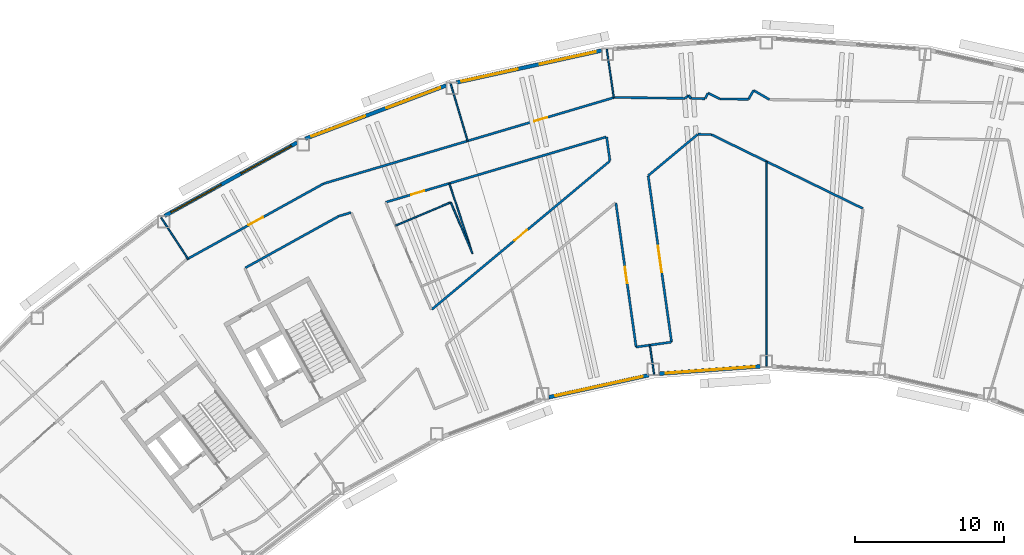
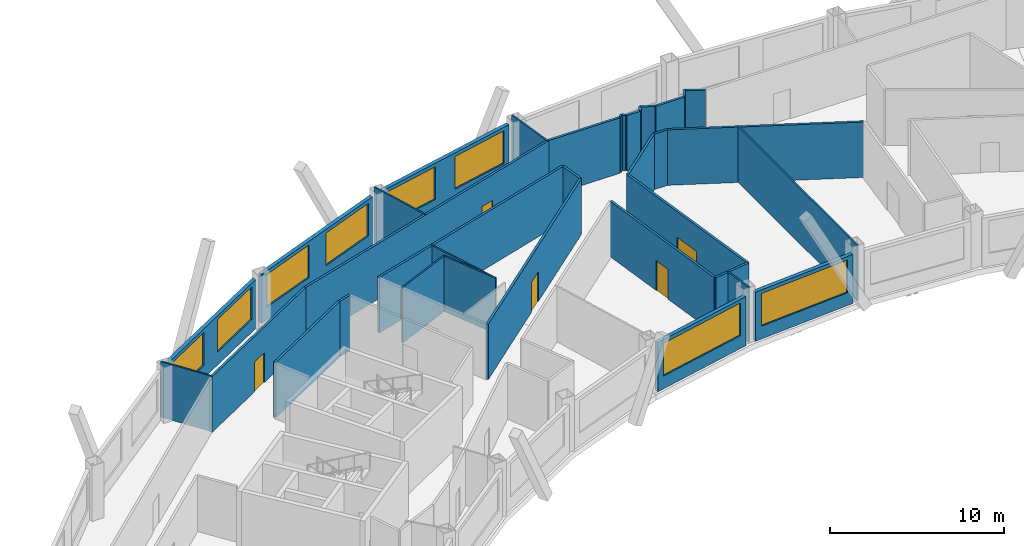
# One storey, part 7 of 13: 35 walls, 8 windows, 6 doors, 14 openings.
"""IFC4 building model written with IfcOpenShell, lengths in metres."""

import ifcopenshell
import ifcopenshell.guid

model = None  # the IFC model being written
_history = None  # IfcOwnerHistory: only IFC2X3 demands one
_inside = {}  # id of a spatial element -> (the spatial element, [elements in it])
_under = {}  # id of a project, library or spatial element -> (it, [spatial elements below it])
_declared = {}  # id of a project -> (the project, [libraries it declares])
_typed = {}  # id of a type object -> (the type object, [elements of that type])
_made_of = {}  # id of a material, layer set ... -> (it, [elements and type objects made of it])


def new_model(schema):
    """Start an empty IFC model of exactly this schema.

    Asked for "IFC4X3", IfcOpenShell would pick the latest addendum, in which some entities
    have other attributes; the version numbers below select the first issue.
    IFC2X3 requires an IfcOwnerHistory on every rooted entity: one is made here for all.
    """
    global model, _history
    if schema == "IFC4X3":
        model = ifcopenshell.file(schema_version=(4, 3, 0, 0))
    else:
        model = ifcopenshell.file(schema=schema)
    _inside.clear()
    _under.clear()
    _declared.clear()
    _typed.clear()
    _made_of.clear()
    _history = None
    if model.schema == "IFC2X3":
        org = make("IfcOrganization", Name="unknown")
        user = make(
            "IfcPersonAndOrganization",
            ThePerson=make("IfcPerson", FamilyName="unknown"),
            TheOrganization=org,
        )
        app = make(
            "IfcApplication",
            ApplicationDeveloper=org,
            Version="unknown",
            ApplicationFullName="unknown",
            ApplicationIdentifier="unknown",
        )
        _history = make(
            "IfcOwnerHistory",
            OwningUser=user,
            OwningApplication=app,
            ChangeAction="ADDED",
            CreationDate=0,
        )
    return model


def make(cls, **values):
    """One entity of the class cls with the attributes given. An attribute that is None is left unset."""
    return model.create_entity(
        cls, **{name: value for name, value in values.items() if value is not None}
    )


def rooted(cls, **values):
    """An entity with a GlobalId (a new one), such as an element, a storey or a relation."""
    return make(cls, GlobalId=ifcopenshell.guid.new(), OwnerHistory=_history, **values)


def si_unit(unit_type, name, prefix=None):
    """IfcSIUnit, for example si_unit("LENGTHUNIT", "METRE", prefix="MILLI")."""
    return make("IfcSIUnit", UnitType=unit_type, Prefix=prefix, Name=name)


def assignment(units):
    """IfcUnitAssignment: the units of a project."""
    return None if units is None else make("IfcUnitAssignment", Units=units)


def point(xyz):
    """IfcCartesianPoint."""
    return None if xyz is None else make("IfcCartesianPoint", Coordinates=xyz)


def direction(xyz):
    """IfcDirection."""
    return None if xyz is None else make("IfcDirection", DirectionRatios=xyz)


def frame(location, z_axis=None, x_axis=None):
    """IfcAxis2Placement3D, a coordinate frame: its origin and axes. An axis left out is left unset."""
    return make(
        "IfcAxis2Placement3D",
        Location=point(location),
        Axis=direction(z_axis),
        RefDirection=direction(x_axis),
    )


def frame_2d(location, x_axis=None):
    """IfcAxis2Placement2D, a coordinate frame in the plane: its origin and x axis."""
    return make(
        "IfcAxis2Placement2D", Location=point(location), RefDirection=direction(x_axis)
    )


def origin():
    """The frame at (0, 0, 0) with its axes left unset."""
    return frame((0.0, 0.0, 0.0))


def place(relative_to, where):
    """IfcLocalPlacement: puts the frame where relative to a parent placement (None: the world)."""
    return make(
        "IfcLocalPlacement", PlacementRelTo=relative_to, RelativePlacement=where
    )


def context(
    kind, dimensions, precision=None, world=None, true_north=None, identifier=None
):
    """IfcGeometricRepresentationContext, for example the 3D "Model" context."""
    return make(
        "IfcGeometricRepresentationContext",
        ContextIdentifier=identifier,
        ContextType=kind,
        CoordinateSpaceDimension=dimensions,
        Precision=precision,
        WorldCoordinateSystem=world,
        TrueNorth=true_north,
    )


def subcontext(parent, identifier, kind, view, scale=None):
    """IfcGeometricRepresentationSubContext, for example "Body" below "Model"."""
    return make(
        "IfcGeometricRepresentationSubContext",
        ContextIdentifier=identifier,
        ContextType=kind,
        ParentContext=parent,
        TargetScale=scale,
        TargetView=view,
    )


def project(units=None, contexts=None):
    """IfcProject with its units and contexts."""
    return rooted(
        "IfcProject",
        Name="project",
        RepresentationContexts=contexts,
        UnitsInContext=assignment(units),
    )


def spatial(cls, under=None, at=None, **own):
    """A site, building, storey or space (cls), placed at a placement, below another one or the project."""
    s = rooted(cls, ObjectPlacement=at, **own)
    if under is not None:
        _under.setdefault(under.id(), (under, []))[1].append(s)
    return s


def profile(cls, at=None, kind="AREA", **sizes):
    """A parametric profile (cls). Its sizes go by their IFC names, for example OverallWidth=200.0."""
    return make(cls, ProfileType=kind, Position=at, **sizes)


def rectangle(**sizes):
    """IfcRectangleProfileDef."""
    return profile("IfcRectangleProfileDef", **sizes)


def extrude(swept, where, along, depth):
    """IfcExtrudedAreaSolid: the profile swept, set in the frame where, extruded along a direction by depth."""
    return make(
        "IfcExtrudedAreaSolid",
        SweptArea=swept,
        Position=where,
        ExtrudedDirection=direction(along),
        Depth=depth,
    )


def shape(context_of_items, identifier, shape_type, items):
    """IfcShapeRepresentation: the items that make up one representation, for example the "Body"."""
    return make(
        "IfcShapeRepresentation",
        ContextOfItems=context_of_items,
        RepresentationIdentifier=identifier,
        RepresentationType=shape_type,
        Items=items,
    )


def material(Name=None, Category=None):
    """IfcMaterial."""
    return make("IfcMaterial", Name=Name, Category=Category)


def layer(
    of_material, thickness, ventilated=None, Name=None, Category=None, Priority=None
):
    """IfcMaterialLayer: one layer of a wall or slab, of a material (None: an air gap)."""
    return make(
        "IfcMaterialLayer",
        Material=of_material,
        LayerThickness=thickness,
        IsVentilated=ventilated,
        Name=Name,
        Category=Category,
        Priority=Priority,
    )


def layer_set(layers, Name=None):
    """IfcMaterialLayerSet."""
    return make("IfcMaterialLayerSet", MaterialLayers=layers, LayerSetName=Name)


def made_of(thing, what):
    """Note that an element or type object is made of a material, layer set ...; save() writes the relation."""
    if what is not None:
        _made_of.setdefault(what.id(), (what, []))[1].append(thing)
    return thing


def type_object(cls, material=None, **own):
    """A type object (cls), such as IfcWallType, which elements share."""
    return made_of(rooted(cls, **own), material)


def element(
    cls,
    number,
    at=None,
    inside=None,
    cuts=None,
    type_object=None,
    material=None,
    context=None,
    identifier="Body",
    shape_type=None,
    held_by="IfcProductDefinitionShape",
    body=None,
    shapes=None,
    **own,
):
    """One element of the class cls, such as IfcWall. Its Tag is "e" and its number.

    at: its placement. inside: the storey or other place that contains it. cuts: it is an
    opening in that element (IfcRelVoidsElement). A single representation is given by context,
    identifier, shape_type and body (its items); several are given by shapes. held_by: the class
    of the entity that holds the representations. save() writes the other relations.
    """
    e = rooted(cls, Tag="e%d" % number, ObjectPlacement=at, **own)
    if body is not None:
        shapes = [shape(context, identifier, shape_type, body)]
    if shapes is not None:
        e.Representation = make(held_by, Representations=shapes)
    if inside is not None:
        _inside.setdefault(inside.id(), (inside, []))[1].append(e)
    if cuts is not None:
        rooted(
            "IfcRelVoidsElement", RelatingBuildingElement=cuts, RelatedOpeningElement=e
        )
    if type_object is not None:
        _typed.setdefault(type_object.id(), (type_object, []))[1].append(e)
    return made_of(e, material)


def fill(opening, filler):
    """IfcRelFillsElement: the door or window that sits in an opening."""
    return rooted(
        "IfcRelFillsElement",
        RelatingOpeningElement=opening,
        RelatedBuildingElement=filler,
    )


def aggregate(whole, parts):
    """IfcRelAggregates: a whole, such as a stair, and the parts it consists of."""
    return rooted("IfcRelAggregates", RelatingObject=whole, RelatedObjects=parts)


def save(model, path):
    """Write the relations noted so far, then the file.

    IfcRelAggregates (storeys below a building ...), IfcRelContainedInSpatialStructure (elements
    in a storey), IfcRelDefinesByType, IfcRelAssociatesMaterial and IfcRelDeclares: one each for
    every whole, place, type object, material and project.
    """
    for whole, parts in _under.values():
        aggregate(whole, parts)
    for where, things in _inside.values():
        rooted(
            "IfcRelContainedInSpatialStructure",
            RelatedElements=things,
            RelatingStructure=where,
        )
    for kind, things in _typed.values():
        rooted("IfcRelDefinesByType", RelatedObjects=things, RelatingType=kind)
    for what, things in _made_of.values():
        rooted("IfcRelAssociatesMaterial", RelatedObjects=things, RelatingMaterial=what)
    for by, libraries in _declared.values():
        rooted("IfcRelDeclares", RelatingContext=by, RelatedDefinitions=libraries)
    model.write(path)


model = new_model("IFC4")

# Units and contexts
model_context = context("Model", 3, precision=1e-05, world=origin(), true_north=direction((0.0, 1.0)))
body_context = subcontext(model_context, "Body", "Model", "MODEL_VIEW")
ifc_project = project(units=[si_unit("LENGTHUNIT", "METRE"), si_unit("AREAUNIT", "SQUARE_METRE"), si_unit("VOLUMEUNIT", "CUBIC_METRE"), si_unit("PLANEANGLEUNIT", "RADIAN"), si_unit("MASSUNIT", "GRAM", prefix="KILO")], contexts=[model_context])

# Site, building, storey
site_placement = place(None, origin())
site = spatial("IfcSite", under=ifc_project, at=site_placement, CompositionType="ELEMENT")
building_placement = place(site_placement, origin())
building = spatial("IfcBuilding", under=site, at=building_placement, Name="Tuul Gate Civic Tower", CompositionType="ELEMENT")
storey_placement = place(building_placement, frame((0.0, 0.0, 319.699951171875)))
storey = spatial("IfcBuildingStorey", under=building, at=storey_placement, Name="Level 72", CompositionType="ELEMENT", Elevation=319.699951171875)

# Walls
ifc_material_1 = material(Name="Gypsum board partition")
ifc_layer_1 = layer(ifc_material_1, 0.14990234375)
ifc_layer_set_1 = layer_set([ifc_layer_1], Name="Gypsum board partition")
wall_type_1 = type_object("IfcWallType", Name="Corridor wall P150", PredefinedType="PARTITIONING", material=ifc_layer_set_1)
wall_1_placement = place(storey_placement, frame((-7.98291015625, 10.157958984375, 0.0), z_axis=(0.0, 0.0, 1.0), x_axis=(0.999900180354, -0.014129024288, 0.0)))
element("IfcWall", 1, at=wall_1_placement, inside=storey, type_object=wall_type_1, Name="p014", PredefinedType="PARTITIONING", context=body_context, shape_type="SweptSolid", body=[
    extrude(rectangle(XDim=4.71728515625, YDim=0.14990234375, at=frame_2d((2.358642578125, 0.0))), origin(), (0.0, 0.0, 1.0), 3.900146484375),
])
wall_2_placement = place(storey_placement, frame((-2.83544921875, 10.085205078125, 0.0), z_axis=(0.0, 0.0, 1.0), x_axis=(0.999903922881, -0.01386163796, 0.0)))
element("IfcWall", 2, at=wall_2_placement, inside=storey, type_object=wall_type_1, Name="p015", PredefinedType="PARTITIONING", context=body_context, shape_type="SweptSolid", body=[
    extrude(rectangle(XDim=0.915771484375, YDim=0.14990234375, at=frame_2d((0.4580078125, 0.0))), origin(), (0.0, 0.0, 1.0), 3.900146484375),
])
wall_3_placement = place(storey_placement, frame((-0.91748046875, 10.05810546875, 0.0), z_axis=(0.0, 0.0, 1.0), x_axis=(0.9999006501, -0.014095741575, 0.0)))
element("IfcWall", 3, at=wall_3_placement, inside=storey, type_object=wall_type_1, Name="p016", PredefinedType="PARTITIONING", context=body_context, shape_type="SweptSolid", body=[
    extrude(rectangle(XDim=1.9052734375, YDim=0.14990234375, at=frame_2d((0.95263671875, 0.0))), origin(), (0.0, 0.0, 1.0), 3.900146484375),
])
wall_4_placement = place(storey_placement, frame((1.343505859375, 10.626708984375, 0.0), z_axis=(0.0, 0.0, 1.0), x_axis=(0.866684977595, -0.498855840511, 0.0)))
element("IfcWall", 4, at=wall_4_placement, inside=storey, type_object=wall_type_1, Name="p021", PredefinedType="PARTITIONING", context=body_context, shape_type="SweptSolid", body=[
    extrude(rectangle(XDim=1.22802734375, YDim=0.14990234375, at=frame_2d((0.614013671875, 0.0))), origin(), (0.0, 0.0, 1.0), 3.900146484375),
])
wall_5_placement = place(storey_placement, frame((1.005859375, 10.041748046875, 0.0), z_axis=(0.0, 0.0, 1.0), x_axis=(0.498709090945, 0.866769428746, 0.0)))
element("IfcWall", 5, at=wall_5_placement, inside=storey, type_object=wall_type_1, Name="p024", PredefinedType="PARTITIONING", context=body_context, shape_type="SweptSolid", body=[
    extrude(rectangle(XDim=0.674560546875, YDim=0.14990234375, at=frame_2d((0.33740234375, 0.0))), origin(), (0.0, 0.0, 1.0), 3.900146484375),
])
wall_6_placement = place(storey_placement, frame((-1.721923828125, 10.448486328125, 0.0), z_axis=(0.0, 0.0, 1.0), x_axis=(0.898638392768, -0.438690140125, 0.0)))
element("IfcWall", 6, at=wall_6_placement, inside=storey, type_object=wall_type_1, Name="p025", PredefinedType="PARTITIONING", context=body_context, shape_type="SweptSolid", body=[
    extrude(rectangle(XDim=0.88427734375, YDim=0.14990234375, at=frame_2d((0.442138671875, 0.0))), origin(), (0.0, 0.0, 1.0), 3.900146484375),
])
wall_7_placement = place(storey_placement, frame((-1.900634765625, 10.083984375, 0.0), z_axis=(0.0, 0.0, 1.0), x_axis=(0.438756078999, 0.898606200258, 0.0)))
element("IfcWall", 7, at=wall_7_placement, inside=storey, type_object=wall_type_1, Name="p026", PredefinedType="PARTITIONING", context=body_context, shape_type="SweptSolid", body=[
    extrude(rectangle(XDim=0.405029296875, YDim=0.14990234375, at=frame_2d((0.20263671875, 0.0))), origin(), (0.0, 0.0, 1.0), 3.900146484375),
])
wall_8_placement = place(storey_placement, frame((-3.016845703125, 10.29150390625, 0.0), z_axis=(0.0, 0.0, 1.0), x_axis=(0.640463102526, -0.767988941524, 0.0)))
element("IfcWall", 8, at=wall_8_placement, inside=storey, type_object=wall_type_1, Name="p027", PredefinedType="PARTITIONING", context=body_context, shape_type="SweptSolid", body=[
    extrude(rectangle(XDim=0.258544921875, YDim=0.14990234375, at=frame_2d((0.12939453125, 0.0))), origin(), (0.0, 0.0, 1.0), 3.900146484375),
])

# Wall, opening, door
wall_9_placement = place(storey_placement, frame((-20.246826171875, -4.06982421875, 0.0), z_axis=(0.0, 0.0, 1.0), x_axis=(0.768138936069, 0.640283198979, 0.0)))
wall_9 = element("IfcWall", 9, at=wall_9_placement, inside=storey, type_object=wall_type_1, Name="p029", PredefinedType="PARTITIONING", context=body_context, shape_type="SweptSolid", body=[
    extrude(rectangle(XDim=15.5546875, YDim=0.14990234375, at=frame_2d((7.77734375, 0.0))), origin(), (0.0, 0.0, 1.0), 3.900146484375),
])
opening_1_placement = place(wall_9_placement, frame((7.227294921875, 0.0, 0.0)))
opening_1 = element("IfcOpeningElement", 10, at=opening_1_placement, cuts=wall_9, Name="Opening AA-D23", PredefinedType="OPENING", context=body_context, shape_type="SweptSolid", body=[
    extrude(rectangle(XDim=1.10009765625, YDim=2.10009765625, at=frame_2d((0.550048828125, 1.050048828125))), frame((0.0, 0.0849609375, 0.0), z_axis=(0.0, -1.0, 0.0), x_axis=(1.0, 0.0, 0.0)), (0.0, 0.0, 1.0), 0.169921875),
])
ifc_material_2 = material(Name="Timber door leaf", Category="wood")
door_type_1 = type_object("IfcDoorType", Name="Door D11", OperationType="NOTDEFINED", PredefinedType="DOOR", material=ifc_material_2)
door_1_placement = place(opening_1_placement, origin())
door_1 = element("IfcDoor", 11, at=door_1_placement, inside=storey, type_object=door_type_1, Name="Door AA-D23", OperationType="SINGLE_SWING_RIGHT", OverallHeight=2.10009765625, OverallWidth=1.10009765625, PredefinedType="DOOR", context=body_context, shape_type="SweptSolid", body=[
    extrude(rectangle(XDim=1.10009765625, YDim=2.10009765625, at=frame_2d((0.550048828125, 1.050048828125))), frame((0.0, 0.02490234375, 0.0), z_axis=(0.0, -1.0, 0.0), x_axis=(1.0, 0.0, 0.0)), (0.0, 0.0, 1.0), 0.050048828125),
])
fill(opening_1, door_1)

# Wall
wall_10_placement = place(storey_placement, frame((-3.251953125, 10.096435546875, 0.0), z_axis=(0.0, 0.0, 1.0), x_axis=(0.768286942229, 0.640105596289, 0.0)))
element("IfcWall", 12, at=wall_10_placement, inside=storey, type_object=wall_type_1, Name="p030", PredefinedType="PARTITIONING", context=body_context, shape_type="SweptSolid", body=[
    extrude(rectangle(XDim=0.3046875, YDim=0.14990234375, at=frame_2d((0.15234375, 0.0))), origin(), (0.0, 0.0, 1.0), 3.900146484375),
])

# Wall, opening, door
wall_11_placement = place(storey_placement, frame((-27.4921875, 4.376708984375, 0.0), z_axis=(0.0, 0.0, 1.0), x_axis=(0.958785885626, 0.284129592833, 0.0)))
wall_11 = element("IfcWall", 13, at=wall_11_placement, inside=storey, type_object=wall_type_1, Name="p031", PredefinedType="PARTITIONING", context=body_context, shape_type="SweptSolid", body=[
    extrude(rectangle(XDim=20.346435546875, YDim=0.14990234375, at=frame_2d((10.17333984375, 0.0))), origin(), (0.0, 0.0, 1.0), 3.900146484375),
])
opening_2_placement = place(wall_11_placement, frame((14.73291015625, 0.0, 0.0)))
opening_2 = element("IfcOpeningElement", 14, at=opening_2_placement, cuts=wall_11, Name="Opening AA-D03", PredefinedType="OPENING", context=body_context, shape_type="SweptSolid", body=[
    extrude(rectangle(XDim=0.89990234375, YDim=2.10009765625, at=frame_2d((0.449951171875, 1.050048828125))), frame((0.0, 0.0849609375, 0.0), z_axis=(0.0, -1.0, 0.0), x_axis=(1.0, 0.0, 0.0)), (0.0, 0.0, 1.0), 0.169921875),
])
ifc_material_3 = material(Name="Timber door leaf", Category="wood")
door_type_2 = type_object("IfcDoorType", Name="Door D09", OperationType="NOTDEFINED", PredefinedType="DOOR", material=ifc_material_3)
door_2_placement = place(opening_2_placement, origin())
door_2 = element("IfcDoor", 15, at=door_2_placement, inside=storey, type_object=door_type_2, Name="Door AA-D03", OperationType="SINGLE_SWING_RIGHT", OverallHeight=2.10009765625, OverallWidth=0.89990234375, PredefinedType="DOOR", context=body_context, shape_type="SweptSolid", body=[
    extrude(rectangle(XDim=0.89990234375, YDim=2.10009765625, at=frame_2d((0.449951171875, 1.050048828125))), frame((0.0, 0.02490234375, 0.0), z_axis=(0.0, -1.0, 0.0), x_axis=(1.0, 0.0, 0.0)), (0.0, 0.0, 1.0), 0.050048828125),
])
fill(opening_2, door_2)

wall_12_placement = place(storey_placement, frame((-36.686767578125, -0.711181640625, 0.0), z_axis=(0.0, 0.0, 1.0), x_axis=(0.874969326866, 0.484178352514, 0.0)))
wall_12 = element("IfcWall", 16, at=wall_12_placement, inside=storey, type_object=wall_type_1, Name="p036", PredefinedType="PARTITIONING", context=body_context, shape_type="SweptSolid", body=[
    extrude(rectangle(XDim=10.5068359375, YDim=0.14990234375, at=frame_2d((5.25341796875, 0.0))), origin(), (0.0, 0.0, 1.0), 3.900146484375),
])
opening_3_placement = place(wall_12_placement, frame((4.753662109375, 0.0, 0.0)))
opening_3 = element("IfcOpeningElement", 17, at=opening_3_placement, cuts=wall_12, Name="Opening AA-D04", PredefinedType="OPENING", context=body_context, shape_type="SweptSolid", body=[
    extrude(rectangle(XDim=1.10009765625, YDim=2.10009765625, at=frame_2d((0.550048828125, 1.050048828125))), frame((0.0, 0.0849609375, 0.0), z_axis=(0.0, -1.0, 0.0), x_axis=(1.0, 0.0, 0.0)), (0.0, 0.0, 1.0), 0.169921875),
])
door_3_placement = place(opening_3_placement, origin())
door_3 = element("IfcDoor", 18, at=door_3_placement, inside=storey, type_object=door_type_1, Name="Door AA-D04", OperationType="SINGLE_SWING_RIGHT", OverallHeight=2.10009765625, OverallWidth=1.10009765625, PredefinedType="DOOR", context=body_context, shape_type="SweptSolid", body=[
    extrude(rectangle(XDim=1.10009765625, YDim=2.10009765625, at=frame_2d((0.550048828125, 1.050048828125))), frame((0.0, 0.02490234375, 0.0), z_axis=(0.0, -1.0, 0.0), x_axis=(1.0, 0.0, 0.0)), (0.0, 0.0, 1.0), 0.050048828125),
])
fill(opening_3, door_3)

# Walls
wall_13_placement = place(storey_placement, frame((-1.48779296875, 7.66357421875, 0.0), z_axis=(0.0, 0.0, 1.0), x_axis=(0.898711179606, -0.438541007947, 0.0)))
element("IfcWall", 19, at=wall_13_placement, inside=storey, type_object=wall_type_1, Name="p069", PredefinedType="PARTITIONING", context=body_context, shape_type="SweptSolid", body=[
    extrude(rectangle(XDim=11.31005859375, YDim=0.14990234375, at=frame_2d((5.655029296875, 0.0))), origin(), (0.0, 0.0, 1.0), 3.900146484375),
])
wall_14_placement = place(storey_placement, frame((-6.53564453125, -6.5869140625, 0.0), z_axis=(0.0, 0.0, 1.0), x_axis=(0.990258552529, 0.139240795545, 0.0)))
element("IfcWall", 20, at=wall_14_placement, inside=storey, type_object=wall_type_1, Name="p076", PredefinedType="PARTITIONING", context=body_context, shape_type="SweptSolid", body=[
    extrude(rectangle(XDim=2.398681640625, YDim=0.14990234375, at=frame_2d((1.19921875, 0.0))), origin(), (0.0, 0.0, 1.0), 3.900146484375),
])

# Wall, opening, door
wall_15_placement = place(storey_placement, frame((-5.726806640625, 4.896240234375, 0.0), z_axis=(0.0, 0.0, 1.0), x_axis=(0.139180402056, -0.990267042612, 0.0)))
wall_15 = element("IfcWall", 21, at=wall_15_placement, inside=storey, type_object=wall_type_1, Name="p077", PredefinedType="PARTITIONING", context=body_context, shape_type="SweptSolid", body=[
    extrude(rectangle(XDim=11.258056640625, YDim=0.14990234375, at=frame_2d((5.62890625, 0.0))), origin(), (0.0, 0.0, 1.0), 3.900146484375),
])
opening_4_placement = place(wall_15_placement, frame((4.72900390625, 0.0, 0.0)))
opening_4 = element("IfcOpeningElement", 22, at=opening_4_placement, cuts=wall_15, Name="Opening AA-D15", PredefinedType="OPENING", context=body_context, shape_type="SweptSolid", body=[
    extrude(rectangle(XDim=1.800048828125, YDim=2.10009765625, at=frame_2d((0.89990234375, 1.050048828125))), frame((0.0, 0.0849609375, 0.0), z_axis=(0.0, -1.0, 0.0), x_axis=(1.0, 0.0, 0.0)), (0.0, 0.0, 1.0), 0.169921875),
])
ifc_material_4 = material(Name="Timber door leaf, double", Category="wood")
door_type_3 = type_object("IfcDoorType", Name="Door D18", OperationType="DOUBLE_DOOR_SINGLE_SWING", PredefinedType="DOOR", material=ifc_material_4)
door_4_placement = place(opening_4_placement, origin())
door_4 = element("IfcDoor", 23, at=door_4_placement, inside=storey, type_object=door_type_3, Name="Door AA-D15", OperationType="DOUBLE_DOOR_SINGLE_SWING", OverallHeight=2.10009765625, OverallWidth=1.800048828125, PredefinedType="DOOR", context=body_context, shape_type="SweptSolid", body=[
    extrude(rectangle(XDim=1.800048828125, YDim=2.10009765625, at=frame_2d((0.89990234375, 1.050048828125))), frame((0.0, 0.02490234375, 0.0), z_axis=(0.0, -1.0, 0.0), x_axis=(1.0, 0.0, 0.0)), (0.0, 0.0, 1.0), 0.050048828125),
])
fill(opening_4, door_4)

# Walls
wall_16_placement = place(storey_placement, frame((-5.719482421875, 4.915283203125, 0.0), z_axis=(0.0, 0.0, 1.0), x_axis=(0.768165605257, 0.640251202967, 0.0)))
element("IfcWall", 24, at=wall_16_placement, inside=storey, type_object=wall_type_1, Name="p081", PredefinedType="PARTITIONING", context=body_context, shape_type="SweptSolid", body=[
    extrude(rectangle(XDim=4.3134765625, YDim=0.14990234375, at=frame_2d((2.15673828125, 0.0))), origin(), (0.0, 0.0, 1.0), 3.900146484375),
])
wall_17_placement = place(storey_placement, frame((-2.39208984375, 7.681884765625, 0.0), z_axis=(0.0, 0.0, 1.0), x_axis=(0.999842766051, -0.017732545646, 0.0)))
element("IfcWall", 25, at=wall_17_placement, inside=storey, type_object=wall_type_1, Name="p082", PredefinedType="PARTITIONING", context=body_context, shape_type="SweptSolid", body=[
    extrude(rectangle(XDim=0.89501953125, YDim=0.14990234375, at=frame_2d((0.447509765625, 0.0))), origin(), (0.0, 0.0, 1.0), 3.900146484375),
])
wall_18_placement = place(storey_placement, frame((-8.51513671875, 7.4921875, 0.0), z_axis=(0.0, 0.0, 1.0), x_axis=(0.139156639217, -0.990270382149, 0.0)))
element("IfcWall", 26, at=wall_18_placement, inside=storey, type_object=wall_type_1, Name="p084", PredefinedType="PARTITIONING", context=body_context, shape_type="SweptSolid", body=[
    extrude(rectangle(XDim=1.60009765625, YDim=0.14990234375, at=frame_2d((0.800048828125, 0.0))), origin(), (0.0, 0.0, 1.0), 3.900146484375),
])

# Wall, opening, door
wall_19_placement = place(storey_placement, frame((-7.892578125, 3.063232421875, 0.0), z_axis=(0.0, 0.0, 1.0), x_axis=(0.139155018901, -0.990270609841, 0.0)))
wall_19 = element("IfcWall", 27, at=wall_19_placement, inside=storey, type_object=wall_type_1, Name="p085", PredefinedType="PARTITIONING", context=body_context, shape_type="SweptSolid", body=[
    extrude(rectangle(XDim=9.744140625, YDim=0.14990234375, at=frame_2d((4.8720703125, 0.0))), origin(), (0.0, 0.0, 1.0), 3.900146484375),
])
opening_5_placement = place(wall_19_placement, frame((4.322265625, 0.0, 0.0)))
opening_5 = element("IfcOpeningElement", 28, at=opening_5_placement, cuts=wall_19, Name="Opening AA-D16", PredefinedType="OPENING", context=body_context, shape_type="SweptSolid", body=[
    extrude(rectangle(XDim=1.10009765625, YDim=2.10009765625, at=frame_2d((0.550048828125, 1.050048828125))), frame((0.0, 0.0849609375, 0.0), z_axis=(0.0, -1.0, 0.0), x_axis=(1.0, 0.0, 0.0)), (0.0, 0.0, 1.0), 0.169921875),
])
door_5_placement = place(opening_5_placement, frame((1.10009765625, 0.0, 0.0), z_axis=(0.0, 0.0, 1.0), x_axis=(-1.0, 0.0, 0.0)))
door_5 = element("IfcDoor", 29, at=door_5_placement, inside=storey, type_object=door_type_1, Name="Door AA-D16", OperationType="SINGLE_SWING_LEFT", OverallHeight=2.10009765625, OverallWidth=1.10009765625, PredefinedType="DOOR", context=body_context, shape_type="SweptSolid", body=[
    extrude(rectangle(XDim=1.10009765625, YDim=2.10009765625, at=frame_2d((0.550048828125, 1.050048828125))), frame((0.0, 0.02490234375, 0.0), z_axis=(0.0, -1.0, 0.0), x_axis=(1.0, 0.0, 0.0)), (0.0, 0.0, 1.0), 0.050048828125),
])
fill(opening_5, door_5)

# Wall
wall_20_placement = place(storey_placement, frame((-26.485595703125, 2.190185546875, 0.0), z_axis=(0.0, 0.0, 1.0), x_axis=(0.958737802555, 0.284291797196, 0.0)))
element("IfcWall", 30, at=wall_20_placement, inside=storey, type_object=wall_type_1, Name="p107", PredefinedType="PARTITIONING", context=body_context, shape_type="SweptSolid", body=[
    extrude(rectangle(XDim=0.85791015625, YDim=0.14990234375, at=frame_2d((0.428955078125, 0.0))), origin(), (0.0, 0.0, 1.0), 3.900146484375),
])

# Wall, opening, door
wall_21_placement = place(storey_placement, frame((-23.32958984375, 3.125732421875, 0.0), z_axis=(0.0, 0.0, 1.0), x_axis=(0.958770323689, 0.284182100796, 0.0)))
wall_21 = element("IfcWall", 31, at=wall_21_placement, inside=storey, type_object=wall_type_1, Name="p108", PredefinedType="PARTITIONING", context=body_context, shape_type="SweptSolid", body=[
    extrude(rectangle(XDim=15.42431640625, YDim=0.14990234375, at=frame_2d((7.712158203125, 0.0))), origin(), (0.0, 0.0, 1.0), 3.900146484375),
])
opening_6_placement = place(wall_21_placement, frame((1.78955078125, 0.0, 0.0)))
opening_6 = element("IfcOpeningElement", 32, at=opening_6_placement, cuts=wall_21, Name="Opening AA-D27", PredefinedType="OPENING", context=body_context, shape_type="SweptSolid", body=[
    extrude(rectangle(XDim=0.89990234375, YDim=2.10009765625, at=frame_2d((0.449951171875, 1.050048828125))), frame((0.0, 0.0849609375, 0.0), z_axis=(0.0, -1.0, 0.0), x_axis=(1.0, 0.0, 0.0)), (0.0, 0.0, 1.0), 0.169921875),
])
door_6_placement = place(opening_6_placement, frame((0.89990234375, 0.0, 0.0), z_axis=(0.0, 0.0, 1.0), x_axis=(-1.0, 0.0, 0.0)))
door_6 = element("IfcDoor", 33, at=door_6_placement, inside=storey, type_object=door_type_2, Name="Door AA-D27", OperationType="SINGLE_SWING_LEFT", OverallHeight=2.10009765625, OverallWidth=0.89990234375, PredefinedType="DOOR", context=body_context, shape_type="SweptSolid", body=[
    extrude(rectangle(XDim=0.89990234375, YDim=2.10009765625, at=frame_2d((0.449951171875, 1.050048828125))), frame((0.0, 0.02490234375, 0.0), z_axis=(0.0, -1.0, 0.0), x_axis=(1.0, 0.0, 0.0)), (0.0, 0.0, 1.0), 0.050048828125),
])
fill(opening_6, door_6)

# Wall
wall_22_placement = place(storey_placement, frame((-32.760009765625, -1.28125, 0.0), z_axis=(0.0, 0.0, 1.0), x_axis=(0.874975693956, 0.484166846227, 0.0)))
element("IfcWall", 34, at=wall_22_placement, inside=storey, type_object=wall_type_1, Name="p112", PredefinedType="PARTITIONING", context=body_context, shape_type="SweptSolid", body=[
    extrude(rectangle(XDim=7.165283203125, YDim=0.14990234375, at=frame_2d((3.58251953125, 0.0))), origin(), (0.0, 0.0, 1.0), 3.900146484375),
])

# Wall, openings, windows
ifc_material_5 = material(Name="Precast concrete C40/50", Category="concrete")
ifc_layer_2 = layer(ifc_material_5, 0.25)
ifc_layer_set_2 = layer_set([ifc_layer_2], Name="Precast concrete C40/50")
wall_type_2 = type_object("IfcWallType", Name="External wall", PredefinedType="STANDARD", material=ifc_layer_set_2)
wall_23_placement = place(storey_placement, frame((-8.85693359375, 13.30126953125, 0.0), z_axis=(0.0, 0.0, 1.0), x_axis=(-0.97656455672, -0.215224688544, 0.0)))
wall_23 = element("IfcWall", 35, at=wall_23_placement, inside=storey, type_object=wall_type_2, Name="External wall", PredefinedType="STANDARD", context=body_context, shape_type="SweptSolid", body=[
    extrude(rectangle(XDim=9.95849609375, YDim=0.25, at=frame_2d((4.979248046875, 0.0))), origin(), (0.0, 0.0, 1.0), 3.449951171875),
])
opening_7_placement = place(wall_23_placement, frame((0.39013671875, 0.0, 0.89990234375)))
opening_7 = element("IfcOpeningElement", 36, at=opening_7_placement, cuts=wall_23, Name="Opening W22", PredefinedType="OPENING", context=body_context, shape_type="SweptSolid", body=[
    extrude(rectangle(XDim=3.85009765625, YDim=2.300048828125, at=frame_2d((1.925048828125, 1.14990234375))), frame((0.0, 0.135009765625, 0.0), z_axis=(0.0, -1.0, 0.0), x_axis=(1.0, 0.0, 0.0)), (0.0, 0.0, 1.0), 0.27001953125),
])
opening_8_placement = place(wall_23_placement, frame((5.761474609375, 0.0, 0.89990234375)))
opening_8 = element("IfcOpeningElement", 37, at=opening_8_placement, cuts=wall_23, Name="Opening W22", PredefinedType="OPENING", context=body_context, shape_type="SweptSolid", body=[
    extrude(rectangle(XDim=3.85009765625, YDim=2.300048828125, at=frame_2d((1.925048828125, 1.14990234375))), frame((0.0, 0.135009765625, 0.0), z_axis=(0.0, -1.0, 0.0), x_axis=(1.0, 0.0, 0.0)), (0.0, 0.0, 1.0), 0.27001953125),
])
ifc_material_6 = material(Name="Glass", Category="glass")
window_type_1 = type_object("IfcWindowType", Name="Window W22 3850 x 2300", PartitioningType="SINGLE_PANEL", PredefinedType="WINDOW", material=ifc_material_6)
window_1_placement = place(opening_7_placement, origin())
window_1 = element("IfcWindow", 38, at=window_1_placement, inside=storey, type_object=window_type_1, Name="Window", OverallHeight=2.300048828125, OverallWidth=3.85009765625, PartitioningType="SINGLE_PANEL", PredefinedType="WINDOW", context=body_context, shape_type="SweptSolid", body=[
    extrude(rectangle(XDim=3.85009765625, YDim=2.300048828125, at=frame_2d((1.925048828125, 1.14990234375))), frame((0.0, 0.030029296875, 0.0), z_axis=(0.0, -1.0, 0.0), x_axis=(1.0, 0.0, 0.0)), (0.0, 0.0, 1.0), 0.06005859375),
])
fill(opening_7, window_1)
window_2_placement = place(opening_8_placement, origin())
window_2 = element("IfcWindow", 39, at=window_2_placement, inside=storey, type_object=window_type_1, Name="Window", OverallHeight=2.300048828125, OverallWidth=3.85009765625, PartitioningType="SINGLE_PANEL", PredefinedType="WINDOW", context=body_context, shape_type="SweptSolid", body=[
    extrude(rectangle(XDim=3.85009765625, YDim=2.300048828125, at=frame_2d((1.925048828125, 1.14990234375))), frame((0.0, 0.030029296875, 0.0), z_axis=(0.0, -1.0, 0.0), x_axis=(1.0, 0.0, 0.0)), (0.0, 0.0, 1.0), 0.06005859375),
])
fill(opening_8, window_2)

wall_24_placement = place(storey_placement, frame((-19.284912109375, 10.95458984375, 0.0), z_axis=(0.0, 0.0, 1.0), x_axis=(-0.93534700963, -0.353731496444, 0.0)))
wall_24 = element("IfcWall", 40, at=wall_24_placement, inside=storey, type_object=wall_type_2, Name="External wall", PredefinedType="STANDARD", context=body_context, shape_type="SweptSolid", body=[
    extrude(rectangle(XDim=10.099609375, YDim=0.25, at=frame_2d((5.0498046875, 0.0))), origin(), (0.0, 0.0, 1.0), 3.449951171875),
])
opening_9_placement = place(wall_24_placement, frame((0.422607421875, 0.0, 0.89990234375)))
opening_9 = element("IfcOpeningElement", 41, at=opening_9_placement, cuts=wall_24, Name="Opening W22", PredefinedType="OPENING", context=body_context, shape_type="SweptSolid", body=[
    extrude(rectangle(XDim=3.85009765625, YDim=2.300048828125, at=frame_2d((1.925048828125, 1.14990234375))), frame((0.0, 0.135009765625, 0.0), z_axis=(0.0, -1.0, 0.0), x_axis=(1.0, 0.0, 0.0)), (0.0, 0.0, 1.0), 0.27001953125),
])
opening_10_placement = place(wall_24_placement, frame((5.7939453125, 0.0, 0.89990234375)))
opening_10 = element("IfcOpeningElement", 42, at=opening_10_placement, cuts=wall_24, Name="Opening W22", PredefinedType="OPENING", context=body_context, shape_type="SweptSolid", body=[
    extrude(rectangle(XDim=3.85009765625, YDim=2.300048828125, at=frame_2d((1.925048828125, 1.14990234375))), frame((0.0, 0.135009765625, 0.0), z_axis=(0.0, -1.0, 0.0), x_axis=(1.0, 0.0, 0.0)), (0.0, 0.0, 1.0), 0.27001953125),
])
window_3_placement = place(opening_9_placement, origin())
window_3 = element("IfcWindow", 43, at=window_3_placement, inside=storey, type_object=window_type_1, Name="Window", OverallHeight=2.300048828125, OverallWidth=3.85009765625, PartitioningType="SINGLE_PANEL", PredefinedType="WINDOW", context=body_context, shape_type="SweptSolid", body=[
    extrude(rectangle(XDim=3.85009765625, YDim=2.300048828125, at=frame_2d((1.925048828125, 1.14990234375))), frame((0.0, 0.030029296875, 0.0), z_axis=(0.0, -1.0, 0.0), x_axis=(1.0, 0.0, 0.0)), (0.0, 0.0, 1.0), 0.06005859375),
])
fill(opening_9, window_3)
window_4_placement = place(opening_10_placement, origin())
window_4 = element("IfcWindow", 44, at=window_4_placement, inside=storey, type_object=window_type_1, Name="Window", OverallHeight=2.300048828125, OverallWidth=3.85009765625, PartitioningType="SINGLE_PANEL", PredefinedType="WINDOW", context=body_context, shape_type="SweptSolid", body=[
    extrude(rectangle(XDim=3.85009765625, YDim=2.300048828125, at=frame_2d((1.925048828125, 1.14990234375))), frame((0.0, 0.030029296875, 0.0), z_axis=(0.0, -1.0, 0.0), x_axis=(1.0, 0.0, 0.0)), (0.0, 0.0, 1.0), 0.06005859375),
])
fill(opening_10, window_4)

wall_25_placement = place(storey_placement, frame((-29.27197265625, 7.131103515625, 0.0), z_axis=(0.0, 0.0, 1.0), x_axis=(-0.87463511472, -0.484781823193, 0.0)))
wall_25 = element("IfcWall", 45, at=wall_25_placement, inside=storey, type_object=wall_type_2, Name="External wall", PredefinedType="STANDARD", context=body_context, shape_type="SweptSolid", body=[
    extrude(rectangle(XDim=10.161376953125, YDim=0.25, at=frame_2d((5.08056640625, 0.0))), origin(), (0.0, 0.0, 1.0), 3.449951171875),
])
opening_11_placement = place(wall_25_placement, frame((0.4501953125, 0.0, 0.89990234375)))
opening_11 = element("IfcOpeningElement", 46, at=opening_11_placement, cuts=wall_25, Name="Opening W22", PredefinedType="OPENING", context=body_context, shape_type="SweptSolid", body=[
    extrude(rectangle(XDim=3.85009765625, YDim=2.300048828125, at=frame_2d((1.925048828125, 1.14990234375))), frame((0.0, 0.135009765625, 0.0), z_axis=(0.0, -1.0, 0.0), x_axis=(1.0, 0.0, 0.0)), (0.0, 0.0, 1.0), 0.27001953125),
])
opening_12_placement = place(wall_25_placement, frame((5.821533203125, 0.0, 0.89990234375)))
opening_12 = element("IfcOpeningElement", 47, at=opening_12_placement, cuts=wall_25, Name="Opening W22", PredefinedType="OPENING", context=body_context, shape_type="SweptSolid", body=[
    extrude(rectangle(XDim=3.85009765625, YDim=2.300048828125, at=frame_2d((1.925048828125, 1.14990234375))), frame((0.0, 0.135009765625, 0.0), z_axis=(0.0, -1.0, 0.0), x_axis=(1.0, 0.0, 0.0)), (0.0, 0.0, 1.0), 0.27001953125),
])
window_5_placement = place(opening_11_placement, origin())
window_5 = element("IfcWindow", 48, at=window_5_placement, inside=storey, type_object=window_type_1, Name="Window", OverallHeight=2.300048828125, OverallWidth=3.85009765625, PartitioningType="SINGLE_PANEL", PredefinedType="WINDOW", context=body_context, shape_type="SweptSolid", body=[
    extrude(rectangle(XDim=3.85009765625, YDim=2.300048828125, at=frame_2d((1.925048828125, 1.14990234375))), frame((0.0, 0.030029296875, 0.0), z_axis=(0.0, -1.0, 0.0), x_axis=(1.0, 0.0, 0.0)), (0.0, 0.0, 1.0), 0.06005859375),
])
fill(opening_11, window_5)
window_6_placement = place(opening_12_placement, origin())
window_6 = element("IfcWindow", 49, at=window_6_placement, inside=storey, type_object=window_type_1, Name="Window", OverallHeight=2.300048828125, OverallWidth=3.85009765625, PartitioningType="SINGLE_PANEL", PredefinedType="WINDOW", context=body_context, shape_type="SweptSolid", body=[
    extrude(rectangle(XDim=3.85009765625, YDim=2.300048828125, at=frame_2d((1.925048828125, 1.14990234375))), frame((0.0, 0.030029296875, 0.0), z_axis=(0.0, -1.0, 0.0), x_axis=(1.0, 0.0, 0.0)), (0.0, 0.0, 1.0), 0.06005859375),
])
fill(opening_12, window_6)

# Wall, opening, window
wall_26_placement = place(storey_placement, frame((-12.39404296875, -9.955322265625, 0.0), z_axis=(0.0, 0.0, 1.0), x_axis=(0.976561146318, 0.215240162382, 0.0)))
wall_26 = element("IfcWall", 50, at=wall_26_placement, inside=storey, type_object=wall_type_2, Name="External wall", PredefinedType="STANDARD", context=body_context, shape_type="SweptSolid", body=[
    extrude(rectangle(XDim=6.867919921875, YDim=0.25, at=frame_2d((3.43408203125, 0.0))), origin(), (0.0, 0.0, 1.0), 3.449951171875),
])
opening_13_placement = place(wall_26_placement, frame((0.458251953125, 0.0, 0.89990234375)))
opening_13 = element("IfcOpeningElement", 51, at=opening_13_placement, cuts=wall_26, Name="Opening W26", PredefinedType="OPENING", context=body_context, shape_type="SweptSolid", body=[
    extrude(rectangle(XDim=6.0, YDim=2.300048828125, at=frame_2d((3.0, 1.14990234375))), frame((0.0, 0.135009765625, 0.0), z_axis=(0.0, -1.0, 0.0), x_axis=(1.0, 0.0, 0.0)), (0.0, 0.0, 1.0), 0.27001953125),
])
ifc_material_7 = material(Name="Glass", Category="glass")
window_type_2 = type_object("IfcWindowType", Name="Window W26 6000 x 2300", PartitioningType="SINGLE_PANEL", PredefinedType="WINDOW", material=ifc_material_7)
window_7_placement = place(opening_13_placement, origin())
window_7 = element("IfcWindow", 52, at=window_7_placement, inside=storey, type_object=window_type_2, Name="Window", OverallHeight=2.300048828125, OverallWidth=6.0, PartitioningType="SINGLE_PANEL", PredefinedType="WINDOW", context=body_context, shape_type="SweptSolid", body=[
    extrude(rectangle(XDim=6.0, YDim=2.300048828125, at=frame_2d((3.0, 1.14990234375))), frame((0.0, 0.030029296875, 0.0), z_axis=(0.0, -1.0, 0.0), x_axis=(1.0, 0.0, 0.0)), (0.0, 0.0, 1.0), 0.06005859375),
])
fill(opening_13, window_7)

wall_27_placement = place(storey_placement, frame((-4.97998046875, -8.373291015625, 0.0), z_axis=(0.0, 0.0, 1.0), x_axis=(0.997384795983, 0.072274260578, 0.0)))
wall_27 = element("IfcWall", 53, at=wall_27_placement, inside=storey, type_object=wall_type_2, Name="External wall", PredefinedType="STANDARD", context=body_context, shape_type="SweptSolid", body=[
    extrude(rectangle(XDim=6.789794921875, YDim=0.25, at=frame_2d((3.39501953125, 0.0))), origin(), (0.0, 0.0, 1.0), 3.449951171875),
])
opening_14_placement = place(wall_27_placement, frame((0.41845703125, 0.0, 0.89990234375)))
opening_14 = element("IfcOpeningElement", 54, at=opening_14_placement, cuts=wall_27, Name="Opening W26", PredefinedType="OPENING", context=body_context, shape_type="SweptSolid", body=[
    extrude(rectangle(XDim=6.0, YDim=2.300048828125, at=frame_2d((3.0, 1.14990234375))), frame((0.0, 0.135009765625, 0.0), z_axis=(0.0, -1.0, 0.0), x_axis=(1.0, 0.0, 0.0)), (0.0, 0.0, 1.0), 0.27001953125),
])
window_8_placement = place(opening_14_placement, origin())
window_8 = element("IfcWindow", 55, at=window_8_placement, inside=storey, type_object=window_type_2, Name="Window", OverallHeight=2.300048828125, OverallWidth=6.0, PartitioningType="SINGLE_PANEL", PredefinedType="WINDOW", context=body_context, shape_type="SweptSolid", body=[
    extrude(rectangle(XDim=6.0, YDim=2.300048828125, at=frame_2d((3.0, 1.14990234375))), frame((0.0, 0.030029296875, 0.0), z_axis=(0.0, -1.0, 0.0), x_axis=(1.0, 0.0, 0.0)), (0.0, 0.0, 1.0), 0.06005859375),
])
fill(opening_14, window_8)

# Walls
ifc_material_8 = material(Name="Gypsum board partition")
ifc_layer_3 = layer(ifc_material_8, 0.10009765625)
ifc_layer_set_3 = layer_set([ifc_layer_3], Name="Gypsum board partition")
wall_type_3 = type_object("IfcWallType", Name="Partition P100", PredefinedType="PARTITIONING", material=ifc_layer_set_3)
wall_28_placement = place(storey_placement, frame((-8.505126953125, 13.3837890625, 0.0), z_axis=(0.0, 0.0, 1.0), x_axis=(0.144113739499, -0.989561130041, 0.0)))
element("IfcWall", 56, at=wall_28_placement, inside=storey, type_object=wall_type_3, Name="p019", PredefinedType="PARTITIONING", context=body_context, shape_type="SweptSolid", body=[
    extrude(rectangle(XDim=3.274658203125, YDim=0.10009765625, at=frame_2d((1.63720703125, 0.0))), origin(), (0.0, 0.0, 1.0), 3.900146484375),
])
wall_29_placement = place(storey_placement, frame((-5.61572265625, -6.45751953125, 0.0), z_axis=(0.0, 0.0, 1.0), x_axis=(0.14411444465, -0.989561027347, 0.0)))
element("IfcWall", 57, at=wall_29_placement, inside=storey, type_object=wall_type_3, Name="p020", PredefinedType="PARTITIONING", context=body_context, shape_type="SweptSolid", body=[
    extrude(rectangle(XDim=1.966796875, YDim=0.10009765625, at=frame_2d((0.9833984375, 0.0))), origin(), (0.0, 0.0, 1.0), 3.900146484375),
])
wall_30_placement = place(storey_placement, frame((-18.97900390625, 11.07568359375, 0.0), z_axis=(0.0, 0.0, 1.0), x_axis=(0.285238257861, -0.958456642865, 0.0)))
element("IfcWall", 58, at=wall_30_placement, inside=storey, type_object=wall_type_3, Name="p032", PredefinedType="PARTITIONING", context=body_context, shape_type="SweptSolid", body=[
    extrude(rectangle(XDim=4.00390625, YDim=0.10009765625, at=frame_2d((2.001953125, 0.0))), origin(), (0.0, 0.0, 1.0), 3.900146484375),
])
wall_31_placement = place(storey_placement, frame((-38.391357421875, 2.082275390625, 0.0), z_axis=(0.0, 0.0, 1.0), x_axis=(0.546717512126, -0.837317121487, 0.0)))
element("IfcWall", 59, at=wall_31_placement, inside=storey, type_object=wall_type_3, Name="p034", PredefinedType="PARTITIONING", context=body_context, shape_type="SweptSolid", body=[
    extrude(rectangle(XDim=3.278076171875, YDim=0.10009765625, at=frame_2d((1.63916015625, 0.0))), origin(), (0.0, 0.0, 1.0), 3.900146484375),
])
wall_32_placement = place(storey_placement, frame((2.19189453125, -7.858642578125, 0.0), z_axis=(0.0, 0.0, 1.0), x_axis=(0.0, 1.0, 0.0)))
element("IfcWall", 60, at=wall_32_placement, inside=storey, type_object=wall_type_3, Name="p071", PredefinedType="PARTITIONING", context=body_context, shape_type="SweptSolid", body=[
    extrude(rectangle(XDim=13.7265625, YDim=0.10009765625, at=frame_2d((6.86328125, 0.0))), origin(), (0.0, 0.0, 1.0), 3.900146484375),
])
wall_33_placement = place(storey_placement, frame((-19.06396484375, 4.389892578125, 0.0), z_axis=(0.0, 0.0, 1.0), x_axis=(0.313167279049, -0.949697981115, 0.0)))
element("IfcWall", 61, at=wall_33_placement, inside=storey, type_object=wall_type_3, Name="p106", PredefinedType="PARTITIONING", context=body_context, shape_type="SweptSolid", body=[
    extrude(rectangle(XDim=4.693115234375, YDim=0.10009765625, at=frame_2d((2.3466796875, 0.0))), origin(), (0.0, 0.0, 1.0), 3.900146484375),
])
wall_34_placement = place(storey_placement, frame((-22.6630859375, 1.555419921875, 0.0), z_axis=(0.0, 0.0, 1.0), x_axis=(0.920496854954, 0.390749971235, 0.0)))
element("IfcWall", 62, at=wall_34_placement, inside=storey, type_object=wall_type_3, Name="p109", PredefinedType="PARTITIONING", context=body_context, shape_type="SweptSolid", body=[
    extrude(rectangle(XDim=4.010009765625, YDim=0.10009765625, at=frame_2d((2.0048828125, 0.0))), origin(), (0.0, 0.0, 1.0), 3.900146484375),
])
wall_35_placement = place(storey_placement, frame((-18.971923828125, 3.122314453125, 0.0), z_axis=(0.0, 0.0, 1.0), x_axis=(0.390709160534, -0.920514177987, 0.0)))
element("IfcWall", 63, at=wall_35_placement, inside=storey, type_object=wall_type_3, Name="p110", PredefinedType="PARTITIONING", context=body_context, shape_type="SweptSolid", body=[
    extrude(rectangle(XDim=3.738525390625, YDim=0.10009765625, at=frame_2d((1.869140625, 0.0))), origin(), (0.0, 0.0, 1.0), 3.900146484375),
])

save(model, "model.ifc")
